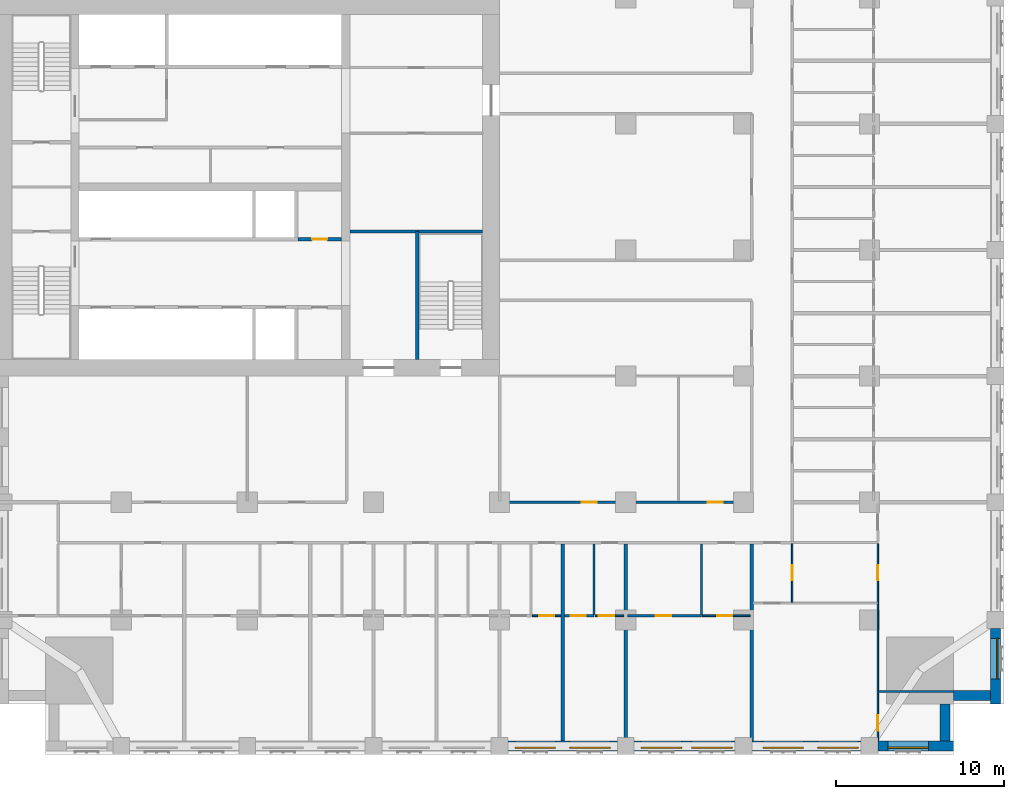
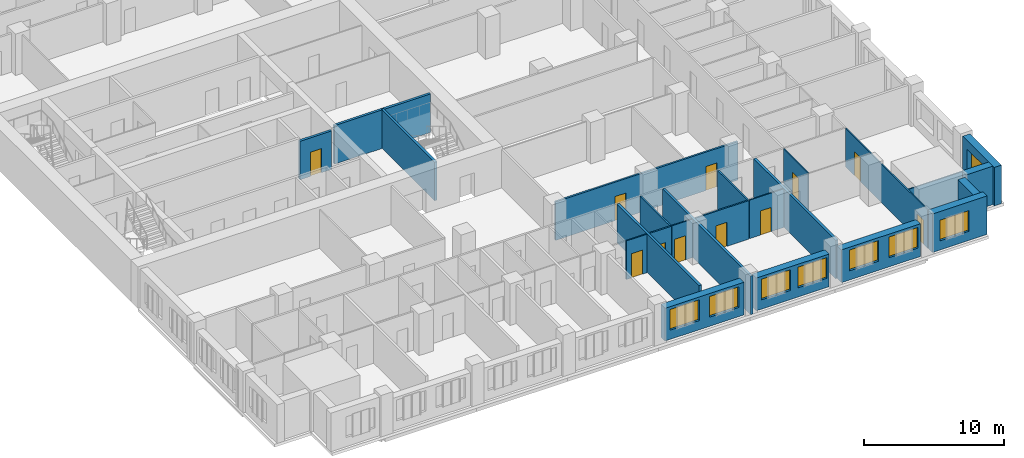
# One storey, part 6 of 15: 24 walls, 11 doors, 8 windows, 19 openings.
"""IFC4 building model written with IfcOpenShell, lengths in metres."""

from ifc_helpers import new_model, si_unit, direction, frame, frame_2d, origin, place, context, subcontext, project, spatial, rectangle, extrude, material, layer, layer_set, type_object, element, fill, save


model = new_model("IFC4")

# Units and contexts
model_context = context("Model", 3, precision=1e-05, world=origin(), true_north=direction((0.0, 1.0)))
body_context = subcontext(model_context, "Body", "Model", "MODEL_VIEW")
ifc_project = project(units=[si_unit("LENGTHUNIT", "METRE"), si_unit("AREAUNIT", "SQUARE_METRE"), si_unit("VOLUMEUNIT", "CUBIC_METRE"), si_unit("PLANEANGLEUNIT", "RADIAN"), si_unit("MASSUNIT", "GRAM", prefix="KILO")], contexts=[model_context])

# Site, building, storey
site_placement = place(None, origin())
site = spatial("IfcSite", under=ifc_project, at=site_placement, CompositionType="ELEMENT")
building_placement = place(site_placement, origin())
building = spatial("IfcBuilding", under=site, at=building_placement, Name="Tamorin Gate", CompositionType="ELEMENT")
storey_placement = place(building_placement, frame((0.0, 0.0, 48.39990234375)))
storey = spatial("IfcBuildingStorey", under=building, at=storey_placement, Name="L10", CompositionType="ELEMENT", Elevation=48.39990234375)

# Wall, openings, windows
ifc_material_1 = material(Name="Precast concrete C40/50", Category="concrete")
ifc_layer_1 = layer(ifc_material_1, 0.60009765625)
ifc_layer_set_1 = layer_set([ifc_layer_1], Name="Precast concrete C40/50")
wall_type_1 = type_object("IfcWallType", Name="Board-marked concrete facade panel 600", PredefinedType="SOLIDWALL", material=ifc_layer_set_1)
wall_1_placement = place(storey_placement, frame((60.5, 38.0, 0.0), z_axis=(0.0, 0.0, 1.0), x_axis=(1.0, 0.0, 0.0)))
wall_1 = element("IfcWall", 1, at=wall_1_placement, inside=storey, type_object=wall_type_1, Name="Facade panel", PredefinedType="SOLIDWALL", context=body_context, shape_type="SweptSolid", body=[
    extrude(rectangle(XDim=6.5, YDim=0.60009765625, at=frame_2d((3.25, 0.0))), origin(), (0.0, 0.0, 1.0), 2.85009765625),
])
opening_1_placement = place(wall_1_placement, frame((0.425048828125, 0.0, 0.800048828125)))
opening_1 = element("IfcOpeningElement", 2, at=opening_1_placement, cuts=wall_1, Name="Opening WN1", PredefinedType="OPENING", context=body_context, shape_type="SweptSolid", body=[
    extrude(rectangle(XDim=2.39990234375, YDim=1.800048828125, at=frame_2d((1.199951171875, 0.89990234375))), frame((0.0, 0.31005859375, 0.0), z_axis=(0.0, -1.0, 0.0), x_axis=(1.0, 0.0, 0.0)), (0.0, 0.0, 1.0), 0.6201171875),
])
opening_2_placement = place(wall_1_placement, frame((3.675048828125, 0.0, 0.800048828125)))
opening_2 = element("IfcOpeningElement", 3, at=opening_2_placement, cuts=wall_1, Name="Opening WN1", PredefinedType="OPENING", context=body_context, shape_type="SweptSolid", body=[
    extrude(rectangle(XDim=2.39990234375, YDim=1.800048828125, at=frame_2d((1.199951171875, 0.89990234375))), frame((0.0, 0.31005859375, 0.0), z_axis=(0.0, -1.0, 0.0), x_axis=(1.0, 0.0, 0.0)), (0.0, 0.0, 1.0), 0.6201171875),
])
ifc_material_2 = material(Name="Clear glass in aluminium frame", Category="aluminium")
window_type = type_object("IfcWindowType", Name="Deep-set window 2400x1800", PartitioningType="SINGLE_PANEL", PredefinedType="WINDOW", material=ifc_material_2)
window_1_placement = place(opening_1_placement, origin())
window_1 = element("IfcWindow", 4, at=window_1_placement, inside=storey, type_object=window_type, Name="Deep-set window", OverallHeight=1.800048828125, OverallWidth=2.39990234375, PartitioningType="SINGLE_PANEL", PredefinedType="WINDOW", context=body_context, shape_type="SweptSolid", body=[
    extrude(rectangle(XDim=2.39990234375, YDim=1.800048828125, at=frame_2d((1.199951171875, 0.89990234375))), frame((0.0, -0.070068359375, 0.0), z_axis=(0.0, -1.0, 0.0), x_axis=(1.0, 0.0, 0.0)), (0.0, 0.0, 1.0), 0.06005859375),
])
fill(opening_1, window_1)
window_2_placement = place(opening_2_placement, origin())
window_2 = element("IfcWindow", 5, at=window_2_placement, inside=storey, type_object=window_type, Name="Deep-set window", OverallHeight=1.800048828125, OverallWidth=2.39990234375, PartitioningType="SINGLE_PANEL", PredefinedType="WINDOW", context=body_context, shape_type="SweptSolid", body=[
    extrude(rectangle(XDim=2.39990234375, YDim=1.800048828125, at=frame_2d((1.199951171875, 0.89990234375))), frame((0.0, -0.070068359375, 0.0), z_axis=(0.0, -1.0, 0.0), x_axis=(1.0, 0.0, 0.0)), (0.0, 0.0, 1.0), 0.06005859375),
])
fill(opening_2, window_2)

wall_2_placement = place(storey_placement, frame((68.0, 38.0, 0.0), z_axis=(0.0, 0.0, 1.0), x_axis=(1.0, 0.0, 0.0)))
wall_2 = element("IfcWall", 6, at=wall_2_placement, inside=storey, type_object=wall_type_1, Name="Facade panel", PredefinedType="SOLIDWALL", context=body_context, shape_type="SweptSolid", body=[
    extrude(rectangle(XDim=6.0, YDim=0.60009765625, at=frame_2d((3.0, 0.0))), origin(), (0.0, 0.0, 1.0), 2.85009765625),
])
opening_3_placement = place(wall_2_placement, frame((0.425048828125, 0.0, 0.800048828125)))
opening_3 = element("IfcOpeningElement", 7, at=opening_3_placement, cuts=wall_2, Name="Opening WN1", PredefinedType="OPENING", context=body_context, shape_type="SweptSolid", body=[
    extrude(rectangle(XDim=2.39990234375, YDim=1.800048828125, at=frame_2d((1.199951171875, 0.89990234375))), frame((0.0, 0.31005859375, 0.0), z_axis=(0.0, -1.0, 0.0), x_axis=(1.0, 0.0, 0.0)), (0.0, 0.0, 1.0), 0.6201171875),
])
opening_4_placement = place(wall_2_placement, frame((3.425048828125, 0.0, 0.800048828125)))
opening_4 = element("IfcOpeningElement", 8, at=opening_4_placement, cuts=wall_2, Name="Opening WN1", PredefinedType="OPENING", context=body_context, shape_type="SweptSolid", body=[
    extrude(rectangle(XDim=2.39990234375, YDim=1.800048828125, at=frame_2d((1.199951171875, 0.89990234375))), frame((0.0, 0.31005859375, 0.0), z_axis=(0.0, -1.0, 0.0), x_axis=(1.0, 0.0, 0.0)), (0.0, 0.0, 1.0), 0.6201171875),
])
window_3_placement = place(opening_3_placement, origin())
window_3 = element("IfcWindow", 9, at=window_3_placement, inside=storey, type_object=window_type, Name="Deep-set window", OverallHeight=1.800048828125, OverallWidth=2.39990234375, PartitioningType="SINGLE_PANEL", PredefinedType="WINDOW", context=body_context, shape_type="SweptSolid", body=[
    extrude(rectangle(XDim=2.39990234375, YDim=1.800048828125, at=frame_2d((1.199951171875, 0.89990234375))), frame((0.0, -0.070068359375, 0.0), z_axis=(0.0, -1.0, 0.0), x_axis=(1.0, 0.0, 0.0)), (0.0, 0.0, 1.0), 0.06005859375),
])
fill(opening_3, window_3)
window_4_placement = place(opening_4_placement, origin())
window_4 = element("IfcWindow", 10, at=window_4_placement, inside=storey, type_object=window_type, Name="Deep-set window", OverallHeight=1.800048828125, OverallWidth=2.39990234375, PartitioningType="SINGLE_PANEL", PredefinedType="WINDOW", context=body_context, shape_type="SweptSolid", body=[
    extrude(rectangle(XDim=2.39990234375, YDim=1.800048828125, at=frame_2d((1.199951171875, 0.89990234375))), frame((0.0, -0.070068359375, 0.0), z_axis=(0.0, -1.0, 0.0), x_axis=(1.0, 0.0, 0.0)), (0.0, 0.0, 1.0), 0.06005859375),
])
fill(opening_4, window_4)

wall_3_placement = place(storey_placement, frame((75.0, 38.0, 0.0), z_axis=(0.0, 0.0, 1.0), x_axis=(1.0, 0.0, 0.0)))
wall_3 = element("IfcWall", 11, at=wall_3_placement, inside=storey, type_object=wall_type_1, Name="Facade panel", PredefinedType="SOLIDWALL", context=body_context, shape_type="SweptSolid", body=[
    extrude(rectangle(XDim=6.5, YDim=0.60009765625, at=frame_2d((3.25, 0.0))), origin(), (0.0, 0.0, 1.0), 2.85009765625),
])
opening_5_placement = place(wall_3_placement, frame((0.675048828125, 0.0, 0.800048828125)))
opening_5 = element("IfcOpeningElement", 12, at=opening_5_placement, cuts=wall_3, Name="Opening WN1", PredefinedType="OPENING", context=body_context, shape_type="SweptSolid", body=[
    extrude(rectangle(XDim=2.39990234375, YDim=1.800048828125, at=frame_2d((1.199951171875, 0.89990234375))), frame((0.0, 0.31005859375, 0.0), z_axis=(0.0, -1.0, 0.0), x_axis=(1.0, 0.0, 0.0)), (0.0, 0.0, 1.0), 0.6201171875),
])
opening_6_placement = place(wall_3_placement, frame((3.925048828125, 0.0, 0.800048828125)))
opening_6 = element("IfcOpeningElement", 13, at=opening_6_placement, cuts=wall_3, Name="Opening WN1", PredefinedType="OPENING", context=body_context, shape_type="SweptSolid", body=[
    extrude(rectangle(XDim=2.39990234375, YDim=1.800048828125, at=frame_2d((1.199951171875, 0.89990234375))), frame((0.0, 0.31005859375, 0.0), z_axis=(0.0, -1.0, 0.0), x_axis=(1.0, 0.0, 0.0)), (0.0, 0.0, 1.0), 0.6201171875),
])
window_5_placement = place(opening_5_placement, origin())
window_5 = element("IfcWindow", 14, at=window_5_placement, inside=storey, type_object=window_type, Name="Deep-set window", OverallHeight=1.800048828125, OverallWidth=2.39990234375, PartitioningType="SINGLE_PANEL", PredefinedType="WINDOW", context=body_context, shape_type="SweptSolid", body=[
    extrude(rectangle(XDim=2.39990234375, YDim=1.800048828125, at=frame_2d((1.199951171875, 0.89990234375))), frame((0.0, -0.070068359375, 0.0), z_axis=(0.0, -1.0, 0.0), x_axis=(1.0, 0.0, 0.0)), (0.0, 0.0, 1.0), 0.06005859375),
])
fill(opening_5, window_5)
window_6_placement = place(opening_6_placement, origin())
window_6 = element("IfcWindow", 15, at=window_6_placement, inside=storey, type_object=window_type, Name="Deep-set window", OverallHeight=1.800048828125, OverallWidth=2.39990234375, PartitioningType="SINGLE_PANEL", PredefinedType="WINDOW", context=body_context, shape_type="SweptSolid", body=[
    extrude(rectangle(XDim=2.39990234375, YDim=1.800048828125, at=frame_2d((1.199951171875, 0.89990234375))), frame((0.0, -0.070068359375, 0.0), z_axis=(0.0, -1.0, 0.0), x_axis=(1.0, 0.0, 0.0)), (0.0, 0.0, 1.0), 0.06005859375),
])
fill(opening_6, window_6)

# Wall, opening, window
wall_4_placement = place(storey_placement, frame((82.5, 38.0, 0.0), z_axis=(0.0, 0.0, 1.0), x_axis=(1.0, 0.0, 0.0)))
wall_4 = element("IfcWall", 16, at=wall_4_placement, inside=storey, type_object=wall_type_1, Name="Facade panel", PredefinedType="SOLIDWALL", context=body_context, shape_type="SweptSolid", body=[
    extrude(rectangle(XDim=4.5, YDim=0.60009765625, at=frame_2d((2.25, 0.0))), origin(), (0.0, 0.0, 1.0), 3.35009765625),
])
opening_7_placement = place(wall_4_placement, frame((0.60009765625, 0.0, 0.800048828125)))
opening_7 = element("IfcOpeningElement", 17, at=opening_7_placement, cuts=wall_4, Name="Opening WN1", PredefinedType="OPENING", context=body_context, shape_type="SweptSolid", body=[
    extrude(rectangle(XDim=2.39990234375, YDim=1.800048828125, at=frame_2d((1.199951171875, 0.89990234375))), frame((0.0, 0.31005859375, 0.0), z_axis=(0.0, -1.0, 0.0), x_axis=(1.0, 0.0, 0.0)), (0.0, 0.0, 1.0), 0.6201171875),
])
window_7_placement = place(opening_7_placement, origin())
window_7 = element("IfcWindow", 18, at=window_7_placement, inside=storey, type_object=window_type, Name="Deep-set window", OverallHeight=1.800048828125, OverallWidth=2.39990234375, PartitioningType="SINGLE_PANEL", PredefinedType="WINDOW", context=body_context, shape_type="SweptSolid", body=[
    extrude(rectangle(XDim=2.39990234375, YDim=1.800048828125, at=frame_2d((1.199951171875, 0.89990234375))), frame((0.0, -0.070068359375, 0.0), z_axis=(0.0, -1.0, 0.0), x_axis=(1.0, 0.0, 0.0)), (0.0, 0.0, 1.0), 0.06005859375),
])
fill(opening_7, window_7)

# Walls
for number, where, z_axis, x_axis, name in (
    (19, (86.5, 38.300048828125, 0.0), (0.0, 0.0, 1.0), (0.0, 1.0, 0.0), "Facade panel"),
    (20, (87.0, 41.0, 0.0), (0.0, 0.0, 1.0), (1.0, 0.0, 0.0), "Facade panel"),
):
    element("IfcWall", number, at=place(storey_placement, frame(where, z_axis=z_axis, x_axis=x_axis)), inside=storey, type_object=wall_type_1, Name=name, PredefinedType="SOLIDWALL", context=body_context, shape_type="SweptSolid", body=[
        extrude(rectangle(XDim=2.199951171875, YDim=0.60009765625, at=frame_2d((1.10009765625, 0.0))), origin(), (0.0, 0.0, 1.0), 3.35009765625),
    ])

# Wall, opening, window
wall_5_placement = place(storey_placement, frame((89.5, 40.5, 0.0), z_axis=(0.0, 0.0, 1.0), x_axis=(0.0, 1.0, 0.0)))
wall_5 = element("IfcWall", 21, at=wall_5_placement, inside=storey, type_object=wall_type_1, Name="Facade panel", PredefinedType="SOLIDWALL", context=body_context, shape_type="SweptSolid", body=[
    extrude(rectangle(XDim=4.5, YDim=0.60009765625, at=frame_2d((2.25, 0.0))), origin(), (0.0, 0.0, 1.0), 3.35009765625),
])
opening_8_placement = place(wall_5_placement, frame((1.5, 0.0, 0.800048828125)))
opening_8 = element("IfcOpeningElement", 22, at=opening_8_placement, cuts=wall_5, Name="Opening WN1", PredefinedType="OPENING", context=body_context, shape_type="SweptSolid", body=[
    extrude(rectangle(XDim=2.39990234375, YDim=1.800048828125, at=frame_2d((1.199951171875, 0.89990234375))), frame((0.0, 0.31005859375, 0.0), z_axis=(0.0, -1.0, 0.0), x_axis=(1.0, 0.0, 0.0)), (0.0, 0.0, 1.0), 0.6201171875),
])
window_8_placement = place(opening_8_placement, origin())
window_8 = element("IfcWindow", 23, at=window_8_placement, inside=storey, type_object=window_type, Name="Deep-set window", OverallHeight=1.800048828125, OverallWidth=2.39990234375, PartitioningType="SINGLE_PANEL", PredefinedType="WINDOW", context=body_context, shape_type="SweptSolid", body=[
    extrude(rectangle(XDim=2.39990234375, YDim=1.800048828125, at=frame_2d((1.199951171875, 0.89990234375))), frame((0.0, -0.070068359375, 0.0), z_axis=(0.0, -1.0, 0.0), x_axis=(1.0, 0.0, 0.0)), (0.0, 0.0, 1.0), 0.06005859375),
])
fill(opening_8, window_8)

# Wall, openings, doors
ifc_material_3 = material(Name="Gypsum board partition")
ifc_layer_2 = layer(ifc_material_3, 0.14990234375)
ifc_layer_set_2 = layer_set([ifc_layer_2], Name="Corridor wall 150")
wall_type_2 = type_object("IfcWallType", Name="Corridor wall 150", PredefinedType="PARTITIONING", material=ifc_layer_set_2)
wall_6_placement = place(storey_placement, frame((60.0, 52.5, 0.0), z_axis=(0.0, 0.0, 1.0), x_axis=(1.0, 0.0, 0.0)))
wall_6 = element("IfcWall", 24, at=wall_6_placement, inside=storey, type_object=wall_type_2, Name="Corridor wall 150", PredefinedType="PARTITIONING", context=body_context, shape_type="SweptSolid", body=[
    extrude(rectangle(XDim=15.0, YDim=0.14990234375, at=frame_2d((7.5, 0.0))), origin(), (0.0, 0.0, 1.0), 3.35009765625),
])
opening_9_placement = place(wall_6_placement, frame((4.875, 0.0, 0.0)))
opening_9 = element("IfcOpeningElement", 25, at=opening_9_placement, cuts=wall_6, Name="Opening DH1095", PredefinedType="OPENING", context=body_context, shape_type="SweptSolid", body=[
    extrude(rectangle(XDim=0.89990234375, YDim=2.10009765625, at=frame_2d((0.449951171875, 1.050048828125))), frame((0.0, 0.0849609375, 0.0), z_axis=(0.0, -1.0, 0.0), x_axis=(1.0, 0.0, 0.0)), (0.0, 0.0, 1.0), 0.169921875),
])
opening_10_placement = place(wall_6_placement, frame((12.375, 0.0, 0.0)))
opening_10 = element("IfcOpeningElement", 26, at=opening_10_placement, cuts=wall_6, Name="Opening DH1096", PredefinedType="OPENING", context=body_context, shape_type="SweptSolid", body=[
    extrude(rectangle(XDim=0.89990234375, YDim=2.10009765625, at=frame_2d((0.449951171875, 1.050048828125))), frame((0.0, 0.0849609375, 0.0), z_axis=(0.0, -1.0, 0.0), x_axis=(1.0, 0.0, 0.0)), (0.0, 0.0, 1.0), 0.169921875),
])
ifc_material_4 = material(Name="Timber door leaf", Category="wood")
door_type_1 = type_object("IfcDoorType", Name="Door 900 x 2100 FD30S", OperationType="NOTDEFINED", PredefinedType="DOOR", material=ifc_material_4)
door_1_placement = place(opening_9_placement, origin())
door_1 = element("IfcDoor", 27, at=door_1_placement, inside=storey, type_object=door_type_1, Name="Door DH1095", OperationType="SINGLE_SWING_RIGHT", OverallHeight=2.10009765625, OverallWidth=0.89990234375, PredefinedType="DOOR", context=body_context, shape_type="SweptSolid", body=[
    extrude(rectangle(XDim=0.89990234375, YDim=2.10009765625, at=frame_2d((0.449951171875, 1.050048828125))), frame((0.0, 0.02490234375, 0.0), z_axis=(0.0, -1.0, 0.0), x_axis=(1.0, 0.0, 0.0)), (0.0, 0.0, 1.0), 0.050048828125),
])
fill(opening_9, door_1)
door_2_placement = place(opening_10_placement, origin())
door_2 = element("IfcDoor", 28, at=door_2_placement, inside=storey, type_object=door_type_1, Name="Door DH1096", OperationType="SINGLE_SWING_RIGHT", OverallHeight=2.10009765625, OverallWidth=0.89990234375, PredefinedType="DOOR", context=body_context, shape_type="SweptSolid", body=[
    extrude(rectangle(XDim=0.89990234375, YDim=2.10009765625, at=frame_2d((0.449951171875, 1.050048828125))), frame((0.0, 0.02490234375, 0.0), z_axis=(0.0, -1.0, 0.0), x_axis=(1.0, 0.0, 0.0)), (0.0, 0.0, 1.0), 0.050048828125),
])
fill(opening_10, door_2)

# Walls
ifc_layer_3 = layer(ifc_material_3, 0.199951171875)
ifc_layer_set_3 = layer_set([ifc_layer_3], Name="Demising wall 200")
wall_type_3 = type_object("IfcWallType", Name="Demising wall 200", PredefinedType="PARTITIONING", material=ifc_layer_set_3)
wall_7_placement = place(storey_placement, frame((63.75, 38.31005859375, 0.0), z_axis=(0.0, 0.0, 1.0), x_axis=(0.0, 1.0, 0.0)))
element("IfcWall", 29, at=wall_7_placement, inside=storey, type_object=wall_type_3, Name="Demising wall 200", PredefinedType="PARTITIONING", context=body_context, shape_type="SweptSolid", body=[
    extrude(rectangle(XDim=11.71484375, YDim=0.199951171875, at=frame_2d((5.857421875, 0.0))), origin(), (0.0, 0.0, 1.0), 3.35009765625),
])
wall_8_placement = place(storey_placement, frame((67.5, 37.5, 0.0), z_axis=(0.0, 0.0, 1.0), x_axis=(0.0, 1.0, 0.0)))
element("IfcWall", 30, at=wall_8_placement, inside=storey, type_object=wall_type_3, Name="Demising wall 200", PredefinedType="PARTITIONING", context=body_context, shape_type="SweptSolid", body=[
    extrude(rectangle(XDim=12.52490234375, YDim=0.199951171875, at=frame_2d((6.262451171875, 0.0))), origin(), (0.0, 0.0, 1.0), 3.35009765625),
])
wall_9_placement = place(storey_placement, frame((75.0, 38.31005859375, 0.0), z_axis=(0.0, 0.0, 1.0), x_axis=(0.0, 1.0, 0.0)))
element("IfcWall", 31, at=wall_9_placement, inside=storey, type_object=wall_type_3, Name="Demising wall 200", PredefinedType="PARTITIONING", context=body_context, shape_type="SweptSolid", body=[
    extrude(rectangle(XDim=11.71484375, YDim=0.199951171875, at=frame_2d((5.857421875, 0.0))), origin(), (0.0, 0.0, 1.0), 3.35009765625),
])
ifc_layer_4 = layer(ifc_material_3, 0.10009765625)
ifc_layer_set_4 = layer_set([ifc_layer_4], Name="Room partition 100")
wall_type_4 = type_object("IfcWallType", Name="Room partition 100", PredefinedType="PARTITIONING", material=ifc_layer_set_4)
wall_10_placement = place(storey_placement, frame((82.550048828125, 41.25, 0.0), z_axis=(0.0, 0.0, 1.0), x_axis=(1.0, 0.0, 0.0)))
element("IfcWall", 32, at=wall_10_placement, inside=storey, type_object=wall_type_4, Name="Room partition 100", PredefinedType="PARTITIONING", context=body_context, shape_type="SweptSolid", body=[
    extrude(rectangle(XDim=4.43994140625, YDim=0.10009765625, at=frame_2d((2.219970703125, 0.0))), origin(), (0.0, 0.0, 1.0), 3.35009765625),
])

# Wall, opening, door
wall_11_placement = place(storey_placement, frame((61.9375, 45.75, 0.0), z_axis=(0.0, 0.0, 1.0), x_axis=(1.0, 0.0, 0.0)))
wall_11 = element("IfcWall", 33, at=wall_11_placement, inside=storey, type_object=wall_type_4, Name="Room partition 100", PredefinedType="PARTITIONING", context=body_context, shape_type="SweptSolid", body=[
    extrude(rectangle(XDim=1.71240234375, YDim=0.10009765625, at=frame_2d((0.856201171875, 0.0))), origin(), (0.0, 0.0, 1.0), 3.35009765625),
])
opening_11_placement = place(wall_11_placement, frame((0.425048828125, 0.0, 0.0)))
opening_11 = element("IfcOpeningElement", 34, at=opening_11_placement, cuts=wall_11, Name="Opening DH1019", PredefinedType="OPENING", context=body_context, shape_type="SweptSolid", body=[
    extrude(rectangle(XDim=0.89990234375, YDim=2.10009765625, at=frame_2d((0.449951171875, 1.050048828125))), frame((0.0, 0.06005859375, 0.0), z_axis=(0.0, -1.0, 0.0), x_axis=(1.0, 0.0, 0.0)), (0.0, 0.0, 1.0), 0.1201171875),
])
door_type_2 = type_object("IfcDoorType", Name="Door 900 x 2100", OperationType="NOTDEFINED", PredefinedType="DOOR", material=ifc_material_4)
door_3_placement = place(opening_11_placement, origin())
door_3 = element("IfcDoor", 35, at=door_3_placement, inside=storey, type_object=door_type_2, Name="Door DH1019", OperationType="SINGLE_SWING_LEFT", OverallHeight=2.10009765625, OverallWidth=0.89990234375, PredefinedType="DOOR", context=body_context, shape_type="SweptSolid", body=[
    extrude(rectangle(XDim=0.89990234375, YDim=2.10009765625, at=frame_2d((0.449951171875, 1.050048828125))), frame((0.0, 0.02490234375, 0.0), z_axis=(0.0, -1.0, 0.0), x_axis=(1.0, 0.0, 0.0)), (0.0, 0.0, 1.0), 0.050048828125),
])
fill(opening_11, door_3)

wall_12_placement = place(storey_placement, frame((65.6875, 45.75, 0.0), z_axis=(0.0, 0.0, 1.0), x_axis=(1.0, 0.0, 0.0)))
wall_12 = element("IfcWall", 36, at=wall_12_placement, inside=storey, type_object=wall_type_4, Name="Room partition 100", PredefinedType="PARTITIONING", context=body_context, shape_type="SweptSolid", body=[
    extrude(rectangle(XDim=1.71240234375, YDim=0.10009765625, at=frame_2d((0.856201171875, 0.0))), origin(), (0.0, 0.0, 1.0), 3.35009765625),
])
opening_12_placement = place(wall_12_placement, frame((0.22509765625, 0.0, 0.0)))
opening_12 = element("IfcOpeningElement", 37, at=opening_12_placement, cuts=wall_12, Name="Opening DH1022", PredefinedType="OPENING", context=body_context, shape_type="SweptSolid", body=[
    extrude(rectangle(XDim=0.89990234375, YDim=2.10009765625, at=frame_2d((0.449951171875, 1.050048828125))), frame((0.0, 0.06005859375, 0.0), z_axis=(0.0, -1.0, 0.0), x_axis=(1.0, 0.0, 0.0)), (0.0, 0.0, 1.0), 0.1201171875),
])
door_4_placement = place(opening_12_placement, origin())
door_4 = element("IfcDoor", 38, at=door_4_placement, inside=storey, type_object=door_type_2, Name="Door DH1022", OperationType="SINGLE_SWING_LEFT", OverallHeight=2.10009765625, OverallWidth=0.89990234375, PredefinedType="DOOR", context=body_context, shape_type="SweptSolid", body=[
    extrude(rectangle(XDim=0.89990234375, YDim=2.10009765625, at=frame_2d((0.449951171875, 1.050048828125))), frame((0.0, 0.02490234375, 0.0), z_axis=(0.0, -1.0, 0.0), x_axis=(1.0, 0.0, 0.0)), (0.0, 0.0, 1.0), 0.050048828125),
])
fill(opening_12, door_4)

wall_13_placement = place(storey_placement, frame((72.0625, 45.75, 0.0), z_axis=(0.0, 0.0, 1.0), x_axis=(1.0, 0.0, 0.0)))
wall_13 = element("IfcWall", 39, at=wall_13_placement, inside=storey, type_object=wall_type_4, Name="Room partition 100", PredefinedType="PARTITIONING", context=body_context, shape_type="SweptSolid", body=[
    extrude(rectangle(XDim=2.83740234375, YDim=0.10009765625, at=frame_2d((1.418701171875, 0.0))), origin(), (0.0, 0.0, 1.0), 3.35009765625),
])
opening_13_placement = place(wall_13_placement, frame((0.887451171875, 0.0, 0.0)))
opening_13 = element("IfcOpeningElement", 40, at=opening_13_placement, cuts=wall_13, Name="Opening DH1025", PredefinedType="OPENING", context=body_context, shape_type="SweptSolid", body=[
    extrude(rectangle(XDim=0.89990234375, YDim=2.10009765625, at=frame_2d((0.449951171875, 1.050048828125))), frame((0.0, 0.06005859375, 0.0), z_axis=(0.0, -1.0, 0.0), x_axis=(1.0, 0.0, 0.0)), (0.0, 0.0, 1.0), 0.1201171875),
])
door_5_placement = place(opening_13_placement, origin())
door_5 = element("IfcDoor", 41, at=door_5_placement, inside=storey, type_object=door_type_2, Name="Door DH1025", OperationType="SINGLE_SWING_LEFT", OverallHeight=2.10009765625, OverallWidth=0.89990234375, PredefinedType="DOOR", context=body_context, shape_type="SweptSolid", body=[
    extrude(rectangle(XDim=0.89990234375, YDim=2.10009765625, at=frame_2d((0.449951171875, 1.050048828125))), frame((0.0, 0.02490234375, 0.0), z_axis=(0.0, -1.0, 0.0), x_axis=(1.0, 0.0, 0.0)), (0.0, 0.0, 1.0), 0.050048828125),
])
fill(opening_13, door_5)

wall_14_placement = place(storey_placement, frame((77.39990234375, 46.550048828125, 0.0), z_axis=(0.0, 0.0, 1.0), x_axis=(0.0, 1.0, 0.0)))
wall_14 = element("IfcWall", 42, at=wall_14_placement, inside=storey, type_object=wall_type_4, Name="Room partition 100", PredefinedType="PARTITIONING", context=body_context, shape_type="SweptSolid", body=[
    extrude(rectangle(XDim=3.474853515625, YDim=0.10009765625, at=frame_2d((1.7373046875, 0.0))), origin(), (0.0, 0.0, 1.0), 3.35009765625),
])
opening_14_placement = place(wall_14_placement, frame((1.300048828125, 0.0, 0.0)))
opening_14 = element("IfcOpeningElement", 43, at=opening_14_placement, cuts=wall_14, Name="Opening DH1083", PredefinedType="OPENING", context=body_context, shape_type="SweptSolid", body=[
    extrude(rectangle(XDim=0.89990234375, YDim=2.10009765625, at=frame_2d((0.449951171875, 1.050048828125))), frame((0.0, 0.06005859375, 0.0), z_axis=(0.0, -1.0, 0.0), x_axis=(1.0, 0.0, 0.0)), (0.0, 0.0, 1.0), 0.1201171875),
])
door_6_placement = place(opening_14_placement, origin())
door_6 = element("IfcDoor", 44, at=door_6_placement, inside=storey, type_object=door_type_2, Name="Door DH1083", OperationType="SINGLE_SWING_RIGHT", OverallHeight=2.10009765625, OverallWidth=0.89990234375, PredefinedType="DOOR", context=body_context, shape_type="SweptSolid", body=[
    extrude(rectangle(XDim=0.89990234375, YDim=2.10009765625, at=frame_2d((0.449951171875, 1.050048828125))), frame((0.0, 0.02490234375, 0.0), z_axis=(0.0, -1.0, 0.0), x_axis=(1.0, 0.0, 0.0)), (0.0, 0.0, 1.0), 0.050048828125),
])
fill(opening_14, door_6)

# Wall, openings, doors
wall_15_placement = place(storey_placement, frame((82.5, 38.31005859375, 0.0), z_axis=(0.0, 0.0, 1.0), x_axis=(0.0, 1.0, 0.0)))
wall_15 = element("IfcWall", 45, at=wall_15_placement, inside=storey, type_object=wall_type_4, Name="Room partition 100", PredefinedType="PARTITIONING", context=body_context, shape_type="SweptSolid", body=[
    extrude(rectangle(XDim=11.7275390625, YDim=0.10009765625, at=frame_2d((5.86376953125, 0.0))), origin(), (0.0, 0.0, 1.0), 3.35009765625),
])
opening_15_placement = place(wall_15_placement, frame((0.614990234375, 0.0, 0.0)))
opening_15 = element("IfcOpeningElement", 46, at=opening_15_placement, cuts=wall_15, Name="Opening DH1084", PredefinedType="OPENING", context=body_context, shape_type="SweptSolid", body=[
    extrude(rectangle(XDim=0.89990234375, YDim=2.10009765625, at=frame_2d((0.449951171875, 1.050048828125))), frame((0.0, 0.06005859375, 0.0), z_axis=(0.0, -1.0, 0.0), x_axis=(1.0, 0.0, 0.0)), (0.0, 0.0, 1.0), 0.1201171875),
])
opening_16_placement = place(wall_15_placement, frame((9.5400390625, 0.0, 0.0)))
opening_16 = element("IfcOpeningElement", 47, at=opening_16_placement, cuts=wall_15, Name="Opening DH1085", PredefinedType="OPENING", context=body_context, shape_type="SweptSolid", body=[
    extrude(rectangle(XDim=0.89990234375, YDim=2.10009765625, at=frame_2d((0.449951171875, 1.050048828125))), frame((0.0, 0.06005859375, 0.0), z_axis=(0.0, -1.0, 0.0), x_axis=(1.0, 0.0, 0.0)), (0.0, 0.0, 1.0), 0.1201171875),
])
door_7_placement = place(opening_15_placement, origin())
door_7 = element("IfcDoor", 48, at=door_7_placement, inside=storey, type_object=door_type_2, Name="Door DH1084", OperationType="SINGLE_SWING_LEFT", OverallHeight=2.10009765625, OverallWidth=0.89990234375, PredefinedType="DOOR", context=body_context, shape_type="SweptSolid", body=[
    extrude(rectangle(XDim=0.89990234375, YDim=2.10009765625, at=frame_2d((0.449951171875, 1.050048828125))), frame((0.0, 0.02490234375, 0.0), z_axis=(0.0, -1.0, 0.0), x_axis=(1.0, 0.0, 0.0)), (0.0, 0.0, 1.0), 0.050048828125),
])
fill(opening_15, door_7)
door_8_placement = place(opening_16_placement, origin())
door_8 = element("IfcDoor", 49, at=door_8_placement, inside=storey, type_object=door_type_2, Name="Door DH1085", OperationType="SINGLE_SWING_RIGHT", OverallHeight=2.10009765625, OverallWidth=0.89990234375, PredefinedType="DOOR", context=body_context, shape_type="SweptSolid", body=[
    extrude(rectangle(XDim=0.89990234375, YDim=2.10009765625, at=frame_2d((0.449951171875, 1.050048828125))), frame((0.0, 0.02490234375, 0.0), z_axis=(0.0, -1.0, 0.0), x_axis=(1.0, 0.0, 0.0)), (0.0, 0.0, 1.0), 0.050048828125),
])
fill(opening_16, door_8)

# Wall, opening, door
ifc_layer_5 = layer(ifc_material_3, 0.199951171875)
ifc_layer_set_5 = layer_set([ifc_layer_5], Name="Service room face wall 200 EI 60")
wall_type_5 = type_object("IfcWallType", Name="Service room face wall 200 EI 60", PredefinedType="PARTITIONING", material=ifc_layer_set_5)
wall_16_placement = place(storey_placement, frame((48.0, 68.14990234375, 0.0), z_axis=(0.0, 0.0, 1.0), x_axis=(1.0, 0.0, 0.0)))
wall_16 = element("IfcWall", 50, at=wall_16_placement, inside=storey, type_object=wall_type_5, Name="Service room face wall", PredefinedType="PARTITIONING", context=body_context, shape_type="SweptSolid", body=[
    extrude(rectangle(XDim=2.60009765625, YDim=0.199951171875, at=frame_2d((1.300048828125, 0.0))), origin(), (0.0, 0.0, 1.0), 3.35009765625),
])
opening_17_placement = place(wall_16_placement, frame((0.85009765625, 0.0, 0.0)))
opening_17 = element("IfcOpeningElement", 51, at=opening_17_placement, cuts=wall_16, Name="Opening DK1", PredefinedType="OPENING", context=body_context, shape_type="SweptSolid", body=[
    extrude(rectangle(XDim=0.89990234375, YDim=2.10009765625, at=frame_2d((0.449951171875, 1.050048828125))), frame((0.0, 0.10986328125, 0.0), z_axis=(0.0, -1.0, 0.0), x_axis=(1.0, 0.0, 0.0)), (0.0, 0.0, 1.0), 0.219970703125),
])
ifc_material_5 = material(Name="Timber fire door", Category="wood")
door_type_3 = type_object("IfcDoorType", Name="Service room door 900 x 2100 EI 60", OperationType="SINGLE_SWING_LEFT", PredefinedType="DOOR", material=ifc_material_5)
door_9_placement = place(opening_17_placement, origin())
door_9 = element("IfcDoor", 52, at=door_9_placement, inside=storey, type_object=door_type_3, Name="Door Housekeeping store", OperationType="SINGLE_SWING_RIGHT", OverallHeight=2.10009765625, OverallWidth=0.89990234375, PredefinedType="DOOR", context=body_context, shape_type="SweptSolid", body=[
    extrude(rectangle(XDim=0.89990234375, YDim=2.10009765625, at=frame_2d((0.449951171875, 1.050048828125))), frame((0.0, 0.02490234375, 0.0), z_axis=(0.0, -1.0, 0.0), x_axis=(1.0, 0.0, 0.0)), (0.0, 0.0, 1.0), 0.050048828125),
])
fill(opening_17, door_9)

# Walls
ifc_material_6 = material(Name="Concrete C40/50", Category="concrete")
ifc_layer_6 = layer(ifc_material_6, 0.199951171875)
ifc_layer_set_6 = layer_set([ifc_layer_6], Name="Stair enclosure wall 200 EI 120 C40/50")
wall_type_6 = type_object("IfcWallType", Name="Stair enclosure wall 200 EI 120 C40/50", PredefinedType="SOLIDWALL", material=ifc_layer_set_6)
wall_17_placement = place(storey_placement, frame((55.10009765625, 61.0, 0.0), z_axis=(0.0, 0.0, 1.0), x_axis=(0.0, 1.0, 0.0)))
element("IfcWall", 53, at=wall_17_placement, inside=storey, type_object=wall_type_6, Name="Stair enclosure wall", PredefinedType="SOLIDWALL", context=body_context, shape_type="SweptSolid", body=[
    extrude(rectangle(XDim=7.60009765625, YDim=0.199951171875, at=frame_2d((3.800048828125, 0.0))), origin(), (0.0, 0.0, 1.0), 3.35009765625),
])
wall_18_placement = place(storey_placement, frame((51.10009765625, 68.60009765625, 0.0), z_axis=(0.0, 0.0, 1.0), x_axis=(1.0, 0.0, 0.0)))
element("IfcWall", 54, at=wall_18_placement, inside=storey, type_object=wall_type_6, Name="Stair enclosure wall", PredefinedType="SOLIDWALL", context=body_context, shape_type="SweptSolid", body=[
    extrude(rectangle(XDim=7.89990234375, YDim=0.199951171875, at=frame_2d((3.949951171875, 0.0))), origin(), (0.0, 0.0, 1.0), 3.35009765625),
])

# Wall, opening, door
ifc_layer_7 = layer(ifc_material_3, 0.125)
ifc_layer_set_7 = layer_set([ifc_layer_7], Name="Wet wall 125")
wall_type_7 = type_object("IfcWallType", Name="Wet wall 125", PredefinedType="PARTITIONING", material=ifc_layer_set_7)
wall_19_placement = place(storey_placement, frame((63.85009765625, 45.75, 0.0), z_axis=(0.0, 0.0, 1.0), x_axis=(1.0, 0.0, 0.0)))
wall_19 = element("IfcWall", 55, at=wall_19_placement, inside=storey, type_object=wall_type_7, Name="Wet wall 125", PredefinedType="PARTITIONING", context=body_context, shape_type="SweptSolid", body=[
    extrude(rectangle(XDim=1.77490234375, YDim=0.125, at=frame_2d((0.887451171875, 0.0))), origin(), (0.0, 0.0, 1.0), 3.35009765625),
])
opening_18_placement = place(wall_19_placement, frame((0.387451171875, 0.0, 0.0)))
opening_18 = element("IfcOpeningElement", 56, at=opening_18_placement, cuts=wall_19, Name="Opening DH1020", PredefinedType="OPENING", context=body_context, shape_type="SweptSolid", body=[
    extrude(rectangle(XDim=0.89990234375, YDim=2.10009765625, at=frame_2d((0.449951171875, 1.050048828125))), frame((0.0, 0.072509765625, 0.0), z_axis=(0.0, -1.0, 0.0), x_axis=(1.0, 0.0, 0.0)), (0.0, 0.0, 1.0), 0.14501953125),
])
door_10_placement = place(opening_18_placement, origin())
door_10 = element("IfcDoor", 57, at=door_10_placement, inside=storey, type_object=door_type_2, Name="Door DH1020", OperationType="SINGLE_SWING_LEFT", OverallHeight=2.10009765625, OverallWidth=0.89990234375, PredefinedType="DOOR", context=body_context, shape_type="SweptSolid", body=[
    extrude(rectangle(XDim=0.89990234375, YDim=2.10009765625, at=frame_2d((0.449951171875, 1.050048828125))), frame((0.0, 0.02490234375, 0.0), z_axis=(0.0, -1.0, 0.0), x_axis=(1.0, 0.0, 0.0)), (0.0, 0.0, 1.0), 0.050048828125),
])
fill(opening_18, door_10)

wall_20_placement = place(storey_placement, frame((67.60009765625, 45.75, 0.0), z_axis=(0.0, 0.0, 1.0), x_axis=(1.0, 0.0, 0.0)))
wall_20 = element("IfcWall", 58, at=wall_20_placement, inside=storey, type_object=wall_type_7, Name="Wet wall 125", PredefinedType="PARTITIONING", context=body_context, shape_type="SweptSolid", body=[
    extrude(rectangle(XDim=4.39990234375, YDim=0.125, at=frame_2d((2.199951171875, 0.0))), origin(), (0.0, 0.0, 1.0), 3.35009765625),
])
opening_19_placement = place(wall_20_placement, frame((1.699951171875, 0.0, 0.0)))
opening_19 = element("IfcOpeningElement", 59, at=opening_19_placement, cuts=wall_20, Name="Opening DH1023", PredefinedType="OPENING", context=body_context, shape_type="SweptSolid", body=[
    extrude(rectangle(XDim=0.89990234375, YDim=2.10009765625, at=frame_2d((0.449951171875, 1.050048828125))), frame((0.0, 0.072509765625, 0.0), z_axis=(0.0, -1.0, 0.0), x_axis=(1.0, 0.0, 0.0)), (0.0, 0.0, 1.0), 0.14501953125),
])
door_11_placement = place(opening_19_placement, origin())
door_11 = element("IfcDoor", 60, at=door_11_placement, inside=storey, type_object=door_type_2, Name="Door DH1023", OperationType="SINGLE_SWING_LEFT", OverallHeight=2.10009765625, OverallWidth=0.89990234375, PredefinedType="DOOR", context=body_context, shape_type="SweptSolid", body=[
    extrude(rectangle(XDim=0.89990234375, YDim=2.10009765625, at=frame_2d((0.449951171875, 1.050048828125))), frame((0.0, 0.02490234375, 0.0), z_axis=(0.0, -1.0, 0.0), x_axis=(1.0, 0.0, 0.0)), (0.0, 0.0, 1.0), 0.050048828125),
])
fill(opening_19, door_11)

# Walls
for number, where, z_axis, x_axis, name in (
    (61, (65.625, 45.8125, 0.0), (0.0, 0.0, 1.0), (0.0, 1.0, 0.0), "Wet wall 125"),
    (62, (72.0, 45.8125, 0.0), (0.0, 0.0, 1.0), (0.0, 1.0, 0.0), "Wet wall 125"),
):
    element("IfcWall", number, at=place(storey_placement, frame(where, z_axis=z_axis, x_axis=x_axis)), inside=storey, type_object=wall_type_7, Name=name, PredefinedType="PARTITIONING", context=body_context, shape_type="SweptSolid", body=[
        extrude(rectangle(XDim=4.21240234375, YDim=0.125, at=frame_2d((2.106201171875, 0.0))), origin(), (0.0, 0.0, 1.0), 3.35009765625),
    ])

save(model, "model.ifc")
